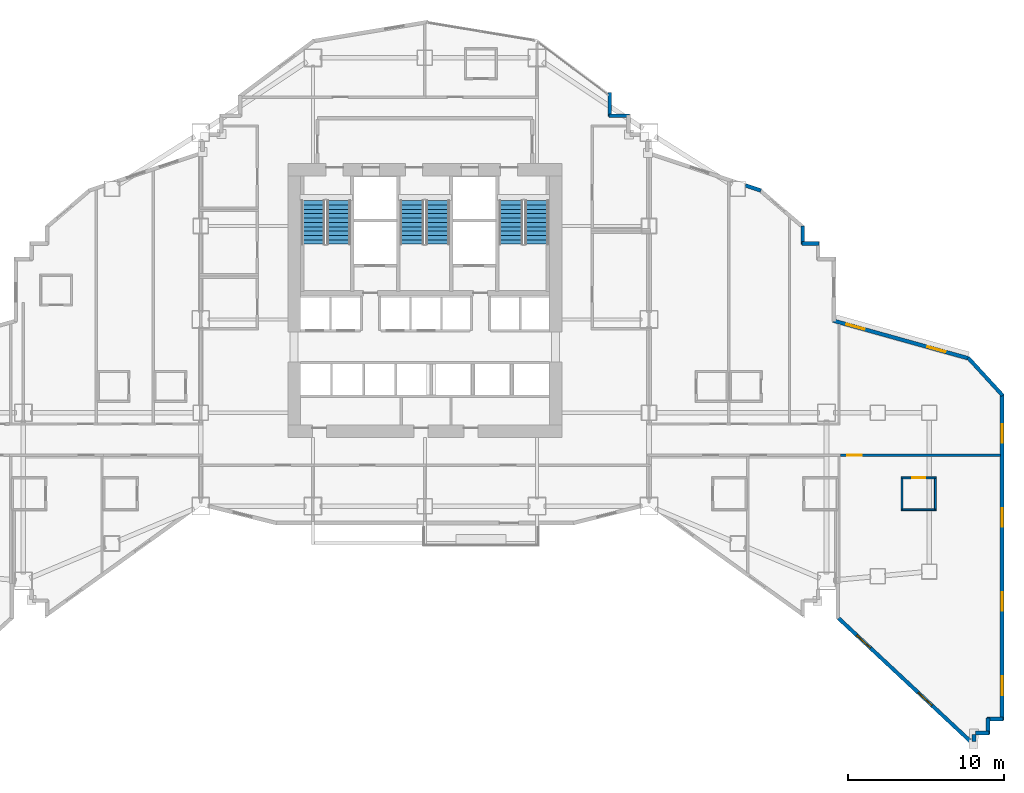
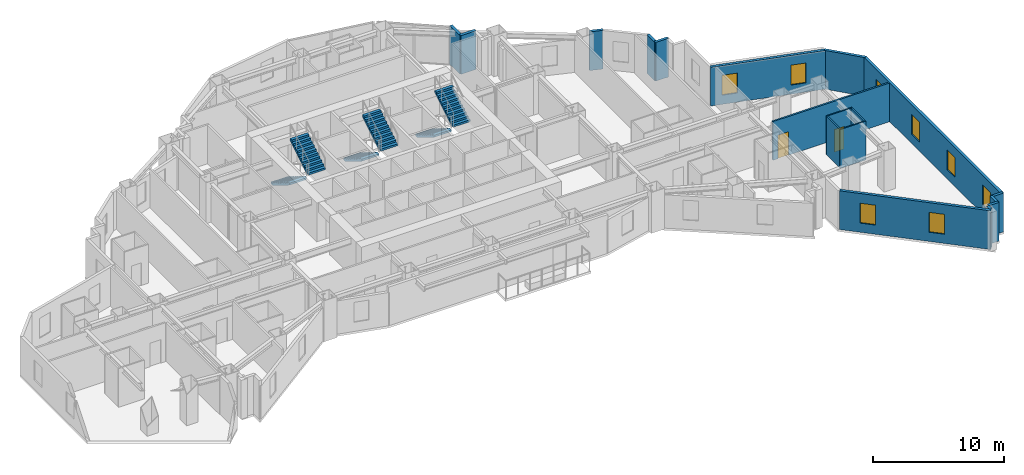
# One storey, part 12 of 15: 18 walls, 8 windows, 6 stair flights, 2 doors, 10 openings, 3 elements without a shape of their own.
"""IFC4 building model written with IfcOpenShell, lengths in metres."""

from ifc_helpers import new_model, si_unit, direction, frame, frame_2d, origin, place, context, subcontext, project, spatial, polyline, rectangle, outline, extrude, material, layer, layer_set, type_object, element, fill, aggregate, save


model = new_model("IFC4")

# Units and contexts
model_context = context("Model", 3, precision=1e-05, world=origin(), true_north=direction((0.0, 1.0)))
body_context = subcontext(model_context, "Body", "Model", "MODEL_VIEW")
ifc_project = project(units=[si_unit("LENGTHUNIT", "METRE"), si_unit("AREAUNIT", "SQUARE_METRE"), si_unit("VOLUMEUNIT", "CUBIC_METRE"), si_unit("PLANEANGLEUNIT", "RADIAN"), si_unit("MASSUNIT", "GRAM", prefix="KILO")], contexts=[model_context])

# Site, building, storey
site_placement = place(None, origin())
site = spatial("IfcSite", under=ifc_project, at=site_placement, CompositionType="ELEMENT")
building_placement = place(site_placement, origin())
building = spatial("IfcBuilding", under=site, at=building_placement, Name="Haolan Belvedere Tower", CompositionType="ELEMENT")
storey_placement = place(building_placement, frame((0.0, 0.0, 70.39990234375)))
storey = spatial("IfcBuildingStorey", under=building, at=storey_placement, Name="L17", CompositionType="ELEMENT", Elevation=70.39990234375)

# Wall, openings, windows
ifc_material_1 = material(Name="Precast concrete C40/50", Category="concrete")
ifc_layer_1 = layer(ifc_material_1, 0.239990234375, Name="Precast concrete C40/50")
ifc_layer_set_1 = layer_set([ifc_layer_1], Name="Precast concrete C40/50")
wall_type_1 = type_object("IfcWallType", Name="WL-EXT-240", PredefinedType="SOLIDWALL", material=ifc_layer_set_1)
wall_1_placement = place(storey_placement, frame((64.978515625, 14.3974609375, 0.0), z_axis=(0.0, 0.0, 1.0), x_axis=(0.731053894258, -0.682319722484, 0.0)))
wall_1 = element("IfcWall", 1, at=wall_1_placement, inside=storey, type_object=wall_type_1, Name="L17 pale-metal exterior spandrel wall 21.1", PredefinedType="SOLIDWALL", context=body_context, shape_type="SweptSolid", body=[
    extrude(rectangle(XDim=11.817626953125, YDim=0.239990234375, at=frame_2d((5.90869140625, 0.0))), origin(), (0.0, 0.0, 1.0), 3.60009765625),
])
opening_1_placement = place(wall_1_placement, frame((1.60009765625, 0.0, 0.85009765625)))
opening_1 = element("IfcOpeningElement", 2, at=opening_1_placement, cuts=wall_1, Name="Opening W-01", PredefinedType="OPENING", context=body_context, shape_type="SweptSolid", body=[
    extrude(rectangle(XDim=1.199951171875, YDim=1.85009765625, at=frame_2d((0.60009765625, 0.925048828125))), frame((0.0, 0.1298828125, 0.0), z_axis=(0.0, -1.0, 0.0), x_axis=(1.0, 0.0, 0.0)), (0.0, 0.0, 1.0), 0.260009765625),
])
opening_2_placement = place(wall_1_placement, frame((7.0, 0.0, 0.85009765625)))
opening_2 = element("IfcOpeningElement", 3, at=opening_2_placement, cuts=wall_1, Name="Opening W-01", PredefinedType="OPENING", context=body_context, shape_type="SweptSolid", body=[
    extrude(rectangle(XDim=1.199951171875, YDim=1.85009765625, at=frame_2d((0.60009765625, 0.925048828125))), frame((0.0, 0.1298828125, 0.0), z_axis=(0.0, -1.0, 0.0), x_axis=(1.0, 0.0, 0.0)), (0.0, 0.0, 1.0), 0.260009765625),
])
ifc_material_2 = material(Name="Anodised aluminium 6063-T6 and Low-E glass", Category="aluminium")
window_type = type_object("IfcWindowType", Name="WN-DECO-Z1", PartitioningType="SINGLE_PANEL", PredefinedType="WINDOW", material=ifc_material_2)
window_1_placement = place(opening_1_placement, origin())
window_1 = element("IfcWindow", 4, at=window_1_placement, inside=storey, type_object=window_type, Name="L17 Art Deco chevron window 1", OverallHeight=1.85009765625, OverallWidth=1.199951171875, PartitioningType="SINGLE_PANEL", PredefinedType="WINDOW", context=body_context, shape_type="SweptSolid", body=[
    extrude(rectangle(XDim=1.199951171875, YDim=1.85009765625, at=frame_2d((0.60009765625, 0.925048828125))), frame((0.0, 0.030029296875, 0.0), z_axis=(0.0, -1.0, 0.0), x_axis=(1.0, 0.0, 0.0)), (0.0, 0.0, 1.0), 0.06005859375),
])
fill(opening_1, window_1)
window_2_placement = place(opening_2_placement, origin())
window_2 = element("IfcWindow", 5, at=window_2_placement, inside=storey, type_object=window_type, Name="L17 Art Deco chevron window 2", OverallHeight=1.85009765625, OverallWidth=1.199951171875, PartitioningType="SINGLE_PANEL", PredefinedType="WINDOW", context=body_context, shape_type="SweptSolid", body=[
    extrude(rectangle(XDim=1.199951171875, YDim=1.85009765625, at=frame_2d((0.60009765625, 0.925048828125))), frame((0.0, 0.030029296875, 0.0), z_axis=(0.0, -1.0, 0.0), x_axis=(1.0, 0.0, 0.0)), (0.0, 0.0, 1.0), 0.06005859375),
])
fill(opening_2, window_2)

# Walls
wall_2_placement = place(storey_placement, frame((73.679931640625, 6.481201171875, 0.0), z_axis=(0.0, 0.0, 1.0), x_axis=(0.0, 1.0, 0.0)))
element("IfcWall", 6, at=wall_2_placement, inside=storey, type_object=wall_type_1, Name="L17 pale-metal exterior spandrel wall 22.1", PredefinedType="SOLIDWALL", context=body_context, shape_type="SweptSolid", body=[
    extrude(rectangle(XDim=0.453857421875, YDim=0.239990234375, at=frame_2d((0.22705078125, 0.0))), origin(), (0.0, 0.0, 1.0), 3.60009765625),
])
wall_3_placement = place(storey_placement, frame((73.764892578125, 7.02001953125, 0.0), z_axis=(0.0, 0.0, 1.0), x_axis=(1.0, 0.0, 0.0)))
element("IfcWall", 7, at=wall_3_placement, inside=storey, type_object=wall_type_1, Name="L17 pale-metal exterior spandrel wall 23.1", PredefinedType="SOLIDWALL", context=body_context, shape_type="SweptSolid", body=[
    extrude(rectangle(XDim=0.8701171875, YDim=0.239990234375, at=frame_2d((0.43505859375, 0.0))), origin(), (0.0, 0.0, 1.0), 3.60009765625),
])
for number, where, z_axis, x_axis, name in (
    (8, (74.580078125, 6.965087890625, 0.0), (0.0, 0.0, 1.0), (0.0, 1.0, 0.0), "L17 pale-metal exterior spandrel wall 24.1"),
    (9, (74.52490234375, 7.919921875, 0.0), (0.0, 0.0, 1.0), (1.0, 0.0, 0.0), "L17 pale-metal exterior spandrel wall 25.1"),
):
    element("IfcWall", number, at=place(storey_placement, frame(where, z_axis=z_axis, x_axis=x_axis)), inside=storey, type_object=wall_type_1, Name=name, PredefinedType="SOLIDWALL", context=body_context, shape_type="SweptSolid", body=[
        extrude(rectangle(XDim=1.010009765625, YDim=0.239990234375, at=frame_2d((0.5048828125, 0.0))), origin(), (0.0, 0.0, 1.0), 3.60009765625),
    ])

# Wall, openings, windows
wall_4_placement = place(storey_placement, frame((75.47998046875, 7.864990234375, 0.0), z_axis=(0.0, 0.0, 1.0), x_axis=(0.0, 1.0, 0.0)))
wall_4 = element("IfcWall", 10, at=wall_4_placement, inside=storey, type_object=wall_type_1, Name="L17 pale-metal exterior spandrel wall 26.1", PredefinedType="SOLIDWALL", context=body_context, shape_type="SweptSolid", body=[
    extrude(rectangle(XDim=20.943359375, YDim=0.239990234375, at=frame_2d((10.4716796875, 0.0))), origin(), (0.0, 0.0, 1.0), 3.60009765625),
])
opening_3_placement = place(wall_4_placement, frame((1.60009765625, 0.0, 0.85009765625)))
opening_3 = element("IfcOpeningElement", 11, at=opening_3_placement, cuts=wall_4, Name="Opening W-01", PredefinedType="OPENING", context=body_context, shape_type="SweptSolid", body=[
    extrude(rectangle(XDim=1.199951171875, YDim=1.85009765625, at=frame_2d((0.60009765625, 0.925048828125))), frame((0.0, 0.1298828125, 0.0), z_axis=(0.0, -1.0, 0.0), x_axis=(1.0, 0.0, 0.0)), (0.0, 0.0, 1.0), 0.260009765625),
])
opening_4_placement = place(wall_4_placement, frame((7.0, 0.0, 0.85009765625)))
opening_4 = element("IfcOpeningElement", 12, at=opening_4_placement, cuts=wall_4, Name="Opening W-01", PredefinedType="OPENING", context=body_context, shape_type="SweptSolid", body=[
    extrude(rectangle(XDim=1.199951171875, YDim=1.85009765625, at=frame_2d((0.60009765625, 0.925048828125))), frame((0.0, 0.1298828125, 0.0), z_axis=(0.0, -1.0, 0.0), x_axis=(1.0, 0.0, 0.0)), (0.0, 0.0, 1.0), 0.260009765625),
])
opening_5_placement = place(wall_4_placement, frame((12.39990234375, 0.0, 0.85009765625)))
opening_5 = element("IfcOpeningElement", 13, at=opening_5_placement, cuts=wall_4, Name="Opening W-01", PredefinedType="OPENING", context=body_context, shape_type="SweptSolid", body=[
    extrude(rectangle(XDim=1.199951171875, YDim=1.85009765625, at=frame_2d((0.60009765625, 0.925048828125))), frame((0.0, 0.1298828125, 0.0), z_axis=(0.0, -1.0, 0.0), x_axis=(1.0, 0.0, 0.0)), (0.0, 0.0, 1.0), 0.260009765625),
])
opening_6_placement = place(wall_4_placement, frame((17.800048828125, 0.0, 0.85009765625)))
opening_6 = element("IfcOpeningElement", 14, at=opening_6_placement, cuts=wall_4, Name="Opening W-01", PredefinedType="OPENING", context=body_context, shape_type="SweptSolid", body=[
    extrude(rectangle(XDim=1.199951171875, YDim=1.85009765625, at=frame_2d((0.60009765625, 0.925048828125))), frame((0.0, 0.1298828125, 0.0), z_axis=(0.0, -1.0, 0.0), x_axis=(1.0, 0.0, 0.0)), (0.0, 0.0, 1.0), 0.260009765625),
])
window_3_placement = place(opening_3_placement, origin())
window_3 = element("IfcWindow", 15, at=window_3_placement, inside=storey, type_object=window_type, Name="L17 Art Deco chevron window 1", OverallHeight=1.85009765625, OverallWidth=1.199951171875, PartitioningType="SINGLE_PANEL", PredefinedType="WINDOW", context=body_context, shape_type="SweptSolid", body=[
    extrude(rectangle(XDim=1.199951171875, YDim=1.85009765625, at=frame_2d((0.60009765625, 0.925048828125))), frame((0.0, 0.030029296875, 0.0), z_axis=(0.0, -1.0, 0.0), x_axis=(1.0, 0.0, 0.0)), (0.0, 0.0, 1.0), 0.06005859375),
])
fill(opening_3, window_3)
window_4_placement = place(opening_4_placement, origin())
window_4 = element("IfcWindow", 16, at=window_4_placement, inside=storey, type_object=window_type, Name="L17 Art Deco chevron window 2", OverallHeight=1.85009765625, OverallWidth=1.199951171875, PartitioningType="SINGLE_PANEL", PredefinedType="WINDOW", context=body_context, shape_type="SweptSolid", body=[
    extrude(rectangle(XDim=1.199951171875, YDim=1.85009765625, at=frame_2d((0.60009765625, 0.925048828125))), frame((0.0, 0.030029296875, 0.0), z_axis=(0.0, -1.0, 0.0), x_axis=(1.0, 0.0, 0.0)), (0.0, 0.0, 1.0), 0.06005859375),
])
fill(opening_4, window_4)
window_5_placement = place(opening_5_placement, origin())
window_5 = element("IfcWindow", 17, at=window_5_placement, inside=storey, type_object=window_type, Name="L17 Art Deco chevron window 3", OverallHeight=1.85009765625, OverallWidth=1.199951171875, PartitioningType="SINGLE_PANEL", PredefinedType="WINDOW", context=body_context, shape_type="SweptSolid", body=[
    extrude(rectangle(XDim=1.199951171875, YDim=1.85009765625, at=frame_2d((0.60009765625, 0.925048828125))), frame((0.0, 0.030029296875, 0.0), z_axis=(0.0, -1.0, 0.0), x_axis=(1.0, 0.0, 0.0)), (0.0, 0.0, 1.0), 0.06005859375),
])
fill(opening_5, window_5)
window_6_placement = place(opening_6_placement, origin())
window_6 = element("IfcWindow", 18, at=window_6_placement, inside=storey, type_object=window_type, Name="L17 Art Deco chevron window 4", OverallHeight=1.85009765625, OverallWidth=1.199951171875, PartitioningType="SINGLE_PANEL", PredefinedType="WINDOW", context=body_context, shape_type="SweptSolid", body=[
    extrude(rectangle(XDim=1.199951171875, YDim=1.85009765625, at=frame_2d((0.60009765625, 0.925048828125))), frame((0.0, 0.030029296875, 0.0), z_axis=(0.0, -1.0, 0.0), x_axis=(1.0, 0.0, 0.0)), (0.0, 0.0, 1.0), 0.06005859375),
])
fill(opening_6, window_6)

# Wall
wall_5_placement = place(storey_placement, frame((75.51708984375, 28.712890625, 0.0), z_axis=(0.0, 0.0, 1.0), x_axis=(-0.67574145796, 0.737138712858, 0.0)))
element("IfcWall", 19, at=wall_5_placement, inside=storey, type_object=wall_type_1, Name="L17 pale-metal exterior spandrel wall 27.1", PredefinedType="SOLIDWALL", context=body_context, shape_type="SweptSolid", body=[
    extrude(rectangle(XDim=3.284423828125, YDim=0.239990234375, at=frame_2d((1.64208984375, 0.0))), origin(), (0.0, 0.0, 1.0), 3.60009765625),
])

# Wall, openings, windows
wall_6_placement = place(storey_placement, frame((73.3876953125, 31.078857421875, 0.0), z_axis=(0.0, 0.0, 1.0), x_axis=(-0.963197271032, 0.268795493036, 0.0)))
wall_6 = element("IfcWall", 20, at=wall_6_placement, inside=storey, type_object=wall_type_1, Name="L17 pale-metal exterior spandrel wall 28.1", PredefinedType="SOLIDWALL", context=body_context, shape_type="SweptSolid", body=[
    extrude(rectangle(XDim=9.095458984375, YDim=0.239990234375, at=frame_2d((4.5478515625, 0.0))), origin(), (0.0, 0.0, 1.0), 3.60009765625),
])
opening_7_placement = place(wall_6_placement, frame((1.60009765625, 0.0, 0.85009765625)))
opening_7 = element("IfcOpeningElement", 21, at=opening_7_placement, cuts=wall_6, Name="Opening W-01", PredefinedType="OPENING", context=body_context, shape_type="SweptSolid", body=[
    extrude(rectangle(XDim=1.199951171875, YDim=1.85009765625, at=frame_2d((0.60009765625, 0.925048828125))), frame((0.0, 0.1298828125, 0.0), z_axis=(0.0, -1.0, 0.0), x_axis=(1.0, 0.0, 0.0)), (0.0, 0.0, 1.0), 0.260009765625),
])
opening_8_placement = place(wall_6_placement, frame((7.0, 0.0, 0.85009765625)))
opening_8 = element("IfcOpeningElement", 22, at=opening_8_placement, cuts=wall_6, Name="Opening W-01", PredefinedType="OPENING", context=body_context, shape_type="SweptSolid", body=[
    extrude(rectangle(XDim=1.199951171875, YDim=1.85009765625, at=frame_2d((0.60009765625, 0.925048828125))), frame((0.0, 0.1298828125, 0.0), z_axis=(0.0, -1.0, 0.0), x_axis=(1.0, 0.0, 0.0)), (0.0, 0.0, 1.0), 0.260009765625),
])
window_7_placement = place(opening_7_placement, origin())
window_7 = element("IfcWindow", 23, at=window_7_placement, inside=storey, type_object=window_type, Name="L17 Art Deco chevron window 1", OverallHeight=1.85009765625, OverallWidth=1.199951171875, PartitioningType="SINGLE_PANEL", PredefinedType="WINDOW", context=body_context, shape_type="SweptSolid", body=[
    extrude(rectangle(XDim=1.199951171875, YDim=1.85009765625, at=frame_2d((0.60009765625, 0.925048828125))), frame((0.0, 0.030029296875, 0.0), z_axis=(0.0, -1.0, 0.0), x_axis=(1.0, 0.0, 0.0)), (0.0, 0.0, 1.0), 0.06005859375),
])
fill(opening_7, window_7)
window_8_placement = place(opening_8_placement, origin())
window_8 = element("IfcWindow", 24, at=window_8_placement, inside=storey, type_object=window_type, Name="L17 Art Deco chevron window 2", OverallHeight=1.85009765625, OverallWidth=1.199951171875, PartitioningType="SINGLE_PANEL", PredefinedType="WINDOW", context=body_context, shape_type="SweptSolid", body=[
    extrude(rectangle(XDim=1.199951171875, YDim=1.85009765625, at=frame_2d((0.60009765625, 0.925048828125))), frame((0.0, 0.030029296875, 0.0), z_axis=(0.0, -1.0, 0.0), x_axis=(1.0, 0.0, 0.0)), (0.0, 0.0, 1.0), 0.06005859375),
])
fill(opening_8, window_8)

# Walls
wall_7_placement = place(storey_placement, frame((63.735107421875, 38.47998046875, 0.0), z_axis=(0.0, 0.0, 1.0), x_axis=(-1.0, 0.0, 0.0)))
element("IfcWall", 25, at=wall_7_placement, inside=storey, type_object=wall_type_1, Name="L17 pale-metal exterior spandrel wall 32.1", PredefinedType="SOLIDWALL", context=body_context, shape_type="SweptSolid", body=[
    extrude(rectangle(XDim=1.110107421875, YDim=0.239990234375, at=frame_2d((0.55517578125, 0.0))), origin(), (0.0, 0.0, 1.0), 3.60009765625),
])
wall_8_placement = place(storey_placement, frame((62.679931640625, 38.425048828125, 0.0), z_axis=(0.0, 0.0, 1.0), x_axis=(0.0, 1.0, 0.0)))
element("IfcWall", 26, at=wall_8_placement, inside=storey, type_object=wall_type_1, Name="L17 pale-metal exterior spandrel wall 33.1", PredefinedType="SOLIDWALL", context=body_context, shape_type="SweptSolid", body=[
    extrude(rectangle(XDim=1.1748046875, YDim=0.239990234375, at=frame_2d((0.58740234375, 0.0))), origin(), (0.0, 0.0, 1.0), 3.60009765625),
])
wall_9_placement = place(storey_placement, frame((59.991943359375, 41.876220703125, 0.0), z_axis=(0.0, 0.0, 1.0), x_axis=(-0.948706457285, 0.316158279832, 0.0)))
element("IfcWall", 27, at=wall_9_placement, inside=storey, type_object=wall_type_1, Name="L17 pale-metal exterior spandrel wall 35.1", PredefinedType="SOLIDWALL", context=body_context, shape_type="SweptSolid", body=[
    extrude(rectangle(XDim=1.053955078125, YDim=0.239990234375, at=frame_2d((0.52685546875, 0.0))), origin(), (0.0, 0.0, 1.0), 3.60009765625),
])
wall_10_placement = place(storey_placement, frame((51.534912109375, 46.679931640625, 0.0), z_axis=(0.0, 0.0, 1.0), x_axis=(-1.0, 0.0, 0.0)))
element("IfcWall", 28, at=wall_10_placement, inside=storey, type_object=wall_type_1, Name="L17 pale-metal exterior spandrel wall 39.1", PredefinedType="SOLIDWALL", context=body_context, shape_type="SweptSolid", body=[
    extrude(rectangle(XDim=1.309814453125, YDim=0.239990234375, at=frame_2d((0.65478515625, 0.0))), origin(), (0.0, 0.0, 1.0), 3.60009765625),
])
wall_11_placement = place(storey_placement, frame((50.280029296875, 46.625, 0.0), z_axis=(0.0, 0.0, 1.0), x_axis=(0.0, 1.0, 0.0)))
element("IfcWall", 29, at=wall_11_placement, inside=storey, type_object=wall_type_1, Name="L17 pale-metal exterior spandrel wall 40.1", PredefinedType="SOLIDWALL", context=body_context, shape_type="SweptSolid", body=[
    extrude(rectangle(XDim=1.5400390625, YDim=0.239990234375, at=frame_2d((0.77001953125, 0.0))), origin(), (0.0, 0.0, 1.0), 3.60009765625),
])

# Wall, opening, door
ifc_material_3 = material(Name="Double gypsum acoustic stud partition", Category="masonry")
ifc_layer_2 = layer(ifc_material_3, 0.14990234375, Name="Double gypsum acoustic stud partition")
ifc_layer_set_2 = layer_set([ifc_layer_2], Name="Double gypsum acoustic stud partition")
wall_type_2 = type_object("IfcWallType", Name="WL-PART-150", PredefinedType="PARTITIONING", material=ifc_layer_set_2)
wall_12_placement = place(storey_placement, frame((65.10205078125, 24.8701171875, 0.0), z_axis=(0.0, 0.0, 1.0), x_axis=(1.0, 0.0, 0.0)))
wall_12 = element("IfcWall", 30, at=wall_12_placement, inside=storey, type_object=wall_type_2, Name="L17 interior partition IW-L17-T5S1-N", PredefinedType="PARTITIONING", context=body_context, shape_type="SweptSolid", body=[
    extrude(rectangle(XDim=10.27294921875, YDim=0.14990234375, at=frame_2d((5.136474609375, 0.0))), origin(), (0.0, 0.0, 1.0), 3.60009765625),
])
opening_9_placement = place(wall_12_placement, frame((1.379150390625, 0.0, 0.0), z_axis=(0.0, 0.0, 1.0), x_axis=(-1.0, 0.0, 0.0)))
opening_9 = element("IfcOpeningElement", 31, at=opening_9_placement, cuts=wall_12, Name="Opening ID-01", PredefinedType="OPENING", context=body_context, shape_type="SweptSolid", body=[
    extrude(rectangle(XDim=0.949951171875, YDim=2.179931640625, at=frame_2d((0.47509765625, 1.08984375))), frame((0.0, 0.0849609375, 0.0), z_axis=(0.0, -1.0, 0.0), x_axis=(1.0, 0.0, 0.0)), (0.0, 0.0, 1.0), 0.169921875),
])
ifc_material_4 = material(Name="Acoustic walnut veneer fire-rated timber", Category="wood")
door_type_1 = type_object("IfcDoorType", Name="DR-SUITE-950", OperationType="NOTDEFINED", PredefinedType="DOOR", material=ifc_material_4)
door_1_placement = place(opening_9_placement, origin())
door_1 = element("IfcDoor", 32, at=door_1_placement, inside=storey, type_object=door_type_1, Name="L17 door ID-L17-T5S1-ENT", OperationType="SINGLE_SWING_RIGHT", OverallHeight=2.179931640625, OverallWidth=0.949951171875, PredefinedType="DOOR", context=body_context, shape_type="SweptSolid", body=[
    extrude(rectangle(XDim=0.949951171875, YDim=2.179931640625, at=frame_2d((0.47509765625, 1.08984375))), frame((0.0, 0.02490234375, 0.0), z_axis=(0.0, -1.0, 0.0), x_axis=(1.0, 0.0, 0.0)), (0.0, 0.0, 1.0), 0.050048828125),
])
fill(opening_9, door_1)

ifc_material_5 = material(Name="Moisture-resistant gypsum tile partition", Category="masonry")
ifc_layer_3 = layer(ifc_material_5, 0.1201171875, Name="Moisture-resistant gypsum tile partition")
ifc_layer_set_3 = layer_set([ifc_layer_3], Name="Moisture-resistant gypsum tile partition")
wall_type_3 = type_object("IfcWallType", Name="WL-WET-120", PredefinedType="PARTITIONING", material=ifc_layer_set_3)
wall_13_placement = place(storey_placement, frame((68.989990234375, 23.419921875, 0.0), z_axis=(0.0, 0.0, 1.0), x_axis=(1.0, 0.0, 0.0)))
wall_13 = element("IfcWall", 33, at=wall_13_placement, inside=storey, type_object=wall_type_3, Name="L17 interior partition IW-L17-T5S1-BN", PredefinedType="PARTITIONING", context=body_context, shape_type="SweptSolid", body=[
    extrude(rectangle(XDim=2.27001953125, YDim=0.1201171875, at=frame_2d((1.135009765625, 0.0))), origin(), (0.0, 0.0, 1.0), 3.60009765625),
])
opening_10_placement = place(wall_13_placement, frame((1.56005859375, 0.0, 0.0), z_axis=(0.0, 0.0, 1.0), x_axis=(-1.0, 0.0, 0.0)))
opening_10 = element("IfcOpeningElement", 34, at=opening_10_placement, cuts=wall_13, Name="Opening ID-05", PredefinedType="OPENING", context=body_context, shape_type="SweptSolid", body=[
    extrude(rectangle(XDim=0.85009765625, YDim=2.10009765625, at=frame_2d((0.425048828125, 1.050048828125))), frame((0.0, 0.070068359375, 0.0), z_axis=(0.0, -1.0, 0.0), x_axis=(1.0, 0.0, 0.0)), (0.0, 0.0, 1.0), 0.14013671875),
])
ifc_material_6 = material(Name="Moisture-resistant lacquered timber", Category="wood")
door_type_2 = type_object("IfcDoorType", Name="DR-BATH-850", OperationType="NOTDEFINED", PredefinedType="DOOR", material=ifc_material_6)
door_2_placement = place(opening_10_placement, origin())
door_2 = element("IfcDoor", 35, at=door_2_placement, inside=storey, type_object=door_type_2, Name="L17 door ID-L17-T5S1-BATH", OperationType="SINGLE_SWING_LEFT", OverallHeight=2.10009765625, OverallWidth=0.85009765625, PredefinedType="DOOR", context=body_context, shape_type="SweptSolid", body=[
    extrude(rectangle(XDim=0.85009765625, YDim=2.10009765625, at=frame_2d((0.425048828125, 1.050048828125))), frame((0.0, 0.02490234375, 0.0), z_axis=(0.0, -1.0, 0.0), x_axis=(1.0, 0.0, 0.0)), (0.0, 0.0, 1.0), 0.050048828125),
])
fill(opening_10, door_2)

# Walls
wall_14_placement = place(storey_placement, frame((68.989990234375, 21.3701171875, 0.0), z_axis=(0.0, 0.0, 1.0), x_axis=(1.0, 0.0, 0.0)))
element("IfcWall", 36, at=wall_14_placement, inside=storey, type_object=wall_type_3, Name="L17 interior partition IW-L17-T5S1-BS", PredefinedType="PARTITIONING", context=body_context, shape_type="SweptSolid", body=[
    extrude(rectangle(XDim=2.27001953125, YDim=0.1201171875, at=frame_2d((1.135009765625, 0.0))), origin(), (0.0, 0.0, 1.0), 3.60009765625),
])
for number, where, z_axis, x_axis, name in (
    (37, (69.050048828125, 21.4150390625, 0.0), (0.0, 0.0, 1.0), (0.0, 1.0, 0.0), "L17 interior partition IW-L17-T5S1-BW"),
    (38, (71.199951171875, 21.4150390625, 0.0), (0.0, 0.0, 1.0), (0.0, 1.0, 0.0), "L17 interior partition IW-L17-T5S1-BE"),
):
    element("IfcWall", number, at=place(storey_placement, frame(where, z_axis=z_axis, x_axis=x_axis)), inside=storey, type_object=wall_type_3, Name=name, PredefinedType="PARTITIONING", context=body_context, shape_type="SweptSolid", body=[
        extrude(rectangle(XDim=1.9599609375, YDim=0.1201171875, at=frame_2d((0.97998046875, 0.0))), origin(), (0.0, 0.0, 1.0), 3.60009765625),
    ])

# Stair, stair flights
ifc_material_7 = material(Name="Concrete C40/50", Category="concrete")
stair_type = type_object("IfcStairType", Name="STR-DL-22R-173", PredefinedType="HALF_TURN_STAIR", material=ifc_material_7)
stair_1_placement = place(storey_placement, origin())
stair_1 = element("IfcStair", 39, at=stair_1_placement, inside=storey, type_object=stair_type, Name="L17 Smokeproof Core Exit Stair ST1", PredefinedType="HALF_TURN_STAIR")
stair_flight_type = type_object("IfcStairFlightType", Name="SFL-DL-11R-173", PredefinedType="STRAIGHT", material=ifc_material_7)
stair_flight_1_placement = place(storey_placement, frame((31.2099609375, 41.22998046875, 0.0), z_axis=(0.0, 0.0, 1.0), x_axis=(0.0, -1.0, 0.0)))
stair_flight_1 = element("IfcStairFlight", 40, at=stair_flight_1_placement, type_object=stair_flight_type, Name="ST1 flight 1", NumberOfRisers=11, NumberOfTreads=10, PredefinedType="STRAIGHT", RiserHeight=0.172727273, TreadLength=0.28, context=body_context, shape_type="SweptSolid", body=[
    extrude(outline(polyline([(0.0, 0.0), (0.0, 0.172607421875), (0.280029296875, 0.172607421875), (0.280029296875, 0.345458984375), (0.56005859375, 0.345458984375), (0.56005859375, 0.51806640625), (0.840087890625, 0.51806640625), (0.840087890625, 0.69091796875), (1.1201171875, 0.69091796875), (1.1201171875, 0.863525390625), (1.39990234375, 0.863525390625), (1.39990234375, 1.036376953125), (1.679931640625, 1.036376953125), (1.679931640625, 1.208984375), (1.9599609375, 1.208984375), (1.9599609375, 1.3818359375), (2.239990234375, 1.3818359375), (2.239990234375, 1.554443359375), (2.52001953125, 1.554443359375), (2.52001953125, 1.727294921875), (2.800048828125, 1.727294921875), (2.800048828125, 1.89990234375), (2.800048828125, 1.551025390625), (0.285400390625, 0.0), (0.0, 0.0)])), frame((0.0, 0.760009765625, 0.0), z_axis=(0.0, -1.0, 0.0), x_axis=(1.0, 0.0, 0.0)), (0.0, 0.0, 1.0), 1.52001953125),
])
stair_flight_2_placement = place(storey_placement, frame((32.8701171875, 38.429931640625, 1.900146484375), z_axis=(0.0, 0.0, 1.0), x_axis=(0.0, 1.0, 0.0)))
stair_flight_2 = element("IfcStairFlight", 41, at=stair_flight_2_placement, type_object=stair_flight_type, Name="ST1 flight 2", NumberOfRisers=11, NumberOfTreads=10, PredefinedType="STRAIGHT", RiserHeight=0.172727273, TreadLength=0.28, context=body_context, shape_type="SweptSolid", body=[
    extrude(outline(polyline([(0.0, 0.0), (0.0, 0.172607421875), (0.280029296875, 0.172607421875), (0.280029296875, 0.345458984375), (0.56005859375, 0.345458984375), (0.56005859375, 0.51806640625), (0.840087890625, 0.51806640625), (0.840087890625, 0.69091796875), (1.1201171875, 0.69091796875), (1.1201171875, 0.863525390625), (1.39990234375, 0.863525390625), (1.39990234375, 1.036376953125), (1.679931640625, 1.036376953125), (1.679931640625, 1.208984375), (1.9599609375, 1.208984375), (1.9599609375, 1.3818359375), (2.239990234375, 1.3818359375), (2.239990234375, 1.554443359375), (2.52001953125, 1.554443359375), (2.52001953125, 1.727294921875), (2.800048828125, 1.727294921875), (2.800048828125, 1.89990234375), (2.800048828125, 1.551025390625), (0.285400390625, 0.0), (0.0, 0.0)])), frame((0.0, 0.760009765625, 0.0), z_axis=(0.0, -1.0, 0.0), x_axis=(1.0, 0.0, 0.0)), (0.0, 0.0, 1.0), 1.52001953125),
])
aggregate(stair_1, [stair_flight_1, stair_flight_2])

stair_2_placement = place(storey_placement, origin())
stair_2 = element("IfcStair", 42, at=stair_2_placement, inside=storey, type_object=stair_type, Name="L17 Smokeproof Core Exit Stair ST3", PredefinedType="HALF_TURN_STAIR")
stair_flight_3_placement = place(storey_placement, frame((37.570068359375, 41.22998046875, 0.0), z_axis=(0.0, 0.0, 1.0), x_axis=(0.0, -1.0, 0.0)))
stair_flight_3 = element("IfcStairFlight", 43, at=stair_flight_3_placement, type_object=stair_flight_type, Name="ST3 flight 1", NumberOfRisers=11, NumberOfTreads=10, PredefinedType="STRAIGHT", RiserHeight=0.172727273, TreadLength=0.28, context=body_context, shape_type="SweptSolid", body=[
    extrude(outline(polyline([(0.0, 0.0), (0.0, 0.172607421875), (0.280029296875, 0.172607421875), (0.280029296875, 0.345458984375), (0.56005859375, 0.345458984375), (0.56005859375, 0.51806640625), (0.840087890625, 0.51806640625), (0.840087890625, 0.69091796875), (1.1201171875, 0.69091796875), (1.1201171875, 0.863525390625), (1.39990234375, 0.863525390625), (1.39990234375, 1.036376953125), (1.679931640625, 1.036376953125), (1.679931640625, 1.208984375), (1.9599609375, 1.208984375), (1.9599609375, 1.3818359375), (2.239990234375, 1.3818359375), (2.239990234375, 1.554443359375), (2.52001953125, 1.554443359375), (2.52001953125, 1.727294921875), (2.800048828125, 1.727294921875), (2.800048828125, 1.89990234375), (2.800048828125, 1.551025390625), (0.285400390625, 0.0), (0.0, 0.0)])), frame((0.0, 0.760009765625, 0.0), z_axis=(0.0, -1.0, 0.0), x_axis=(1.0, 0.0, 0.0)), (0.0, 0.0, 1.0), 1.52001953125),
])
stair_flight_4_placement = place(storey_placement, frame((39.22998046875, 38.429931640625, 1.900146484375), z_axis=(0.0, 0.0, 1.0), x_axis=(0.0, 1.0, 0.0)))
stair_flight_4 = element("IfcStairFlight", 44, at=stair_flight_4_placement, type_object=stair_flight_type, Name="ST3 flight 2", NumberOfRisers=11, NumberOfTreads=10, PredefinedType="STRAIGHT", RiserHeight=0.172727273, TreadLength=0.28, context=body_context, shape_type="SweptSolid", body=[
    extrude(outline(polyline([(0.0, 0.0), (0.0, 0.172607421875), (0.280029296875, 0.172607421875), (0.280029296875, 0.345458984375), (0.56005859375, 0.345458984375), (0.56005859375, 0.51806640625), (0.840087890625, 0.51806640625), (0.840087890625, 0.69091796875), (1.1201171875, 0.69091796875), (1.1201171875, 0.863525390625), (1.39990234375, 0.863525390625), (1.39990234375, 1.036376953125), (1.679931640625, 1.036376953125), (1.679931640625, 1.208984375), (1.9599609375, 1.208984375), (1.9599609375, 1.3818359375), (2.239990234375, 1.3818359375), (2.239990234375, 1.554443359375), (2.52001953125, 1.554443359375), (2.52001953125, 1.727294921875), (2.800048828125, 1.727294921875), (2.800048828125, 1.89990234375), (2.800048828125, 1.551025390625), (0.285400390625, 0.0), (0.0, 0.0)])), frame((0.0, 0.760009765625, 0.0), z_axis=(0.0, -1.0, 0.0), x_axis=(1.0, 0.0, 0.0)), (0.0, 0.0, 1.0), 1.52001953125),
])
aggregate(stair_2, [stair_flight_3, stair_flight_4])

stair_3_placement = place(storey_placement, origin())
stair_3 = element("IfcStair", 45, at=stair_3_placement, inside=storey, type_object=stair_type, Name="L17 Smokeproof Core Exit Stair ST2", PredefinedType="HALF_TURN_STAIR")
stair_flight_5_placement = place(storey_placement, frame((43.929931640625, 41.22998046875, 0.0), z_axis=(0.0, 0.0, 1.0), x_axis=(0.0, -1.0, 0.0)))
stair_flight_5 = element("IfcStairFlight", 46, at=stair_flight_5_placement, type_object=stair_flight_type, Name="ST2 flight 1", NumberOfRisers=11, NumberOfTreads=10, PredefinedType="STRAIGHT", RiserHeight=0.172727273, TreadLength=0.28, context=body_context, shape_type="SweptSolid", body=[
    extrude(outline(polyline([(0.0, 0.0), (0.0, 0.172607421875), (0.280029296875, 0.172607421875), (0.280029296875, 0.345458984375), (0.56005859375, 0.345458984375), (0.56005859375, 0.51806640625), (0.840087890625, 0.51806640625), (0.840087890625, 0.69091796875), (1.1201171875, 0.69091796875), (1.1201171875, 0.863525390625), (1.39990234375, 0.863525390625), (1.39990234375, 1.036376953125), (1.679931640625, 1.036376953125), (1.679931640625, 1.208984375), (1.9599609375, 1.208984375), (1.9599609375, 1.3818359375), (2.239990234375, 1.3818359375), (2.239990234375, 1.554443359375), (2.52001953125, 1.554443359375), (2.52001953125, 1.727294921875), (2.800048828125, 1.727294921875), (2.800048828125, 1.89990234375), (2.800048828125, 1.551025390625), (0.285400390625, 0.0), (0.0, 0.0)])), frame((0.0, 0.760009765625, 0.0), z_axis=(0.0, -1.0, 0.0), x_axis=(1.0, 0.0, 0.0)), (0.0, 0.0, 1.0), 1.52001953125),
])
stair_flight_6_placement = place(storey_placement, frame((45.590087890625, 38.429931640625, 1.900146484375), z_axis=(0.0, 0.0, 1.0), x_axis=(0.0, 1.0, 0.0)))
stair_flight_6 = element("IfcStairFlight", 47, at=stair_flight_6_placement, type_object=stair_flight_type, Name="ST2 flight 2", NumberOfRisers=11, NumberOfTreads=10, PredefinedType="STRAIGHT", RiserHeight=0.172727273, TreadLength=0.28, context=body_context, shape_type="SweptSolid", body=[
    extrude(outline(polyline([(0.0, 0.0), (0.0, 0.172607421875), (0.280029296875, 0.172607421875), (0.280029296875, 0.345458984375), (0.56005859375, 0.345458984375), (0.56005859375, 0.51806640625), (0.840087890625, 0.51806640625), (0.840087890625, 0.69091796875), (1.1201171875, 0.69091796875), (1.1201171875, 0.863525390625), (1.39990234375, 0.863525390625), (1.39990234375, 1.036376953125), (1.679931640625, 1.036376953125), (1.679931640625, 1.208984375), (1.9599609375, 1.208984375), (1.9599609375, 1.3818359375), (2.239990234375, 1.3818359375), (2.239990234375, 1.554443359375), (2.52001953125, 1.554443359375), (2.52001953125, 1.727294921875), (2.800048828125, 1.727294921875), (2.800048828125, 1.89990234375), (2.800048828125, 1.551025390625), (0.285400390625, 0.0), (0.0, 0.0)])), frame((0.0, 0.760009765625, 0.0), z_axis=(0.0, -1.0, 0.0), x_axis=(1.0, 0.0, 0.0)), (0.0, 0.0, 1.0), 1.52001953125),
])
aggregate(stair_3, [stair_flight_5, stair_flight_6])

save(model, "model.ifc")
